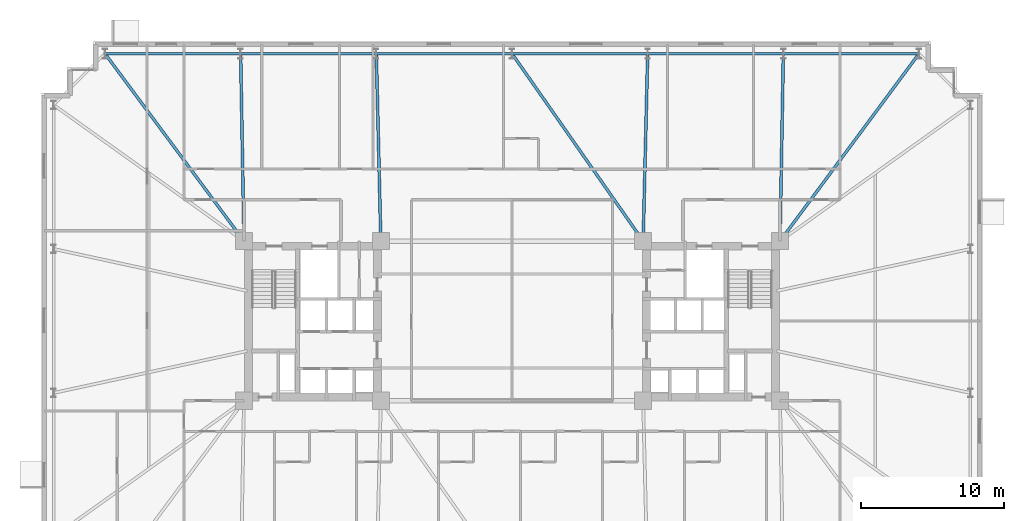
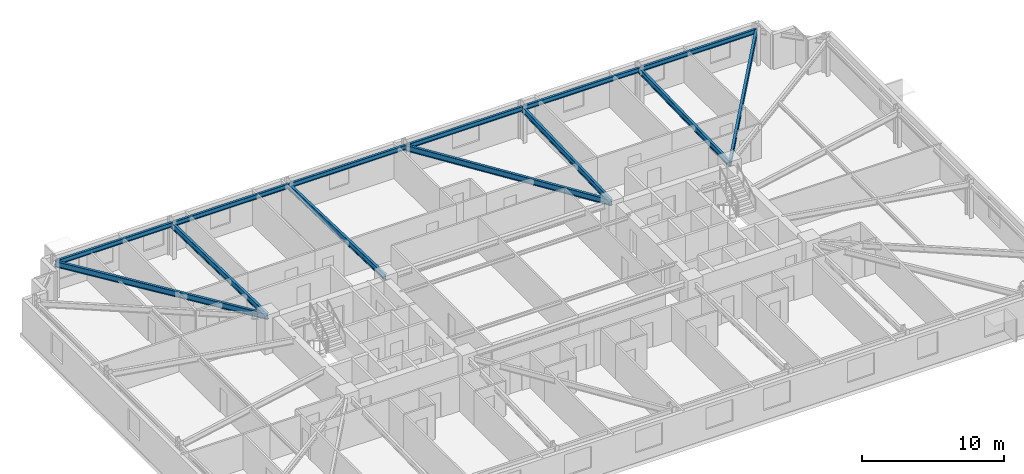
# One storey, part 9 of 20: 13 beams.
"""IFC4 building model written with IfcOpenShell, lengths in metres."""

from ifc_helpers import new_model, si_unit, direction, frame, origin, origin_2d, place, context, subcontext, project, spatial, i_section, extrude, material, material_profile, profile_set, type_object, element, save


model = new_model("IFC4")

# Units and contexts
model_context = context("Model", 3, precision=1e-05, world=origin(), true_north=direction((0.0, 1.0)))
body_context = subcontext(model_context, "Body", "Model", "MODEL_VIEW")
ifc_project = project(units=[si_unit("LENGTHUNIT", "METRE"), si_unit("AREAUNIT", "SQUARE_METRE"), si_unit("VOLUMEUNIT", "CUBIC_METRE"), si_unit("PLANEANGLEUNIT", "RADIAN"), si_unit("MASSUNIT", "GRAM", prefix="KILO")], contexts=[model_context])

# Site, building, storey
site_placement = place(None, origin())
site = spatial("IfcSite", under=ifc_project, at=site_placement, CompositionType="ELEMENT")
building_placement = place(site_placement, origin())
building = spatial("IfcBuilding", under=site, at=building_placement, Name="Qobustan Lattice House", CompositionType="ELEMENT")
storey_placement = place(building_placement, frame((0.0, 0.0, 70.550048828125)))
storey = spatial("IfcBuildingStorey", under=building, at=storey_placement, Name="L19", CompositionType="ELEMENT", Elevation=70.550048828125)

# Beams
ifc_material_1 = material(Name="Steel S355", Category="steel")
ifc_material_profile_1 = material_profile(ifc_material_1, i_section(OverallWidth=0.199951171875, OverallDepth=0.5, WebThickness=0.01025390625, FlangeThickness=0.01611328125, FilletRadius=0.02099609375, at=origin_2d()), Name="IPE500")
ifc_profile_set_1 = profile_set([ifc_material_profile_1], Name="Steel S355")
beam_type_1 = type_object("IfcBeamType", Name="BM-FLG-IPE500", PredefinedType="USERDEFINED", material=ifc_profile_set_1)
beam_1_placement = place(storey_placement, frame((-28.53515625, 18.72998046875, 2.75), z_axis=(0.5955916815, -0.803287338956, 0.0), x_axis=(0.803287338956, 0.5955916815, 0.0)))
element("IfcBeam", 1, at=beam_1_placement, inside=storey, type_object=beam_type_1, Name="L19 primary floor girder RAD-N7W", ObjectType="GIRDER", PredefinedType="USERDEFINED", context=body_context, shape_type="SweptSolid", body=[
    extrude(i_section(OverallWidth=0.199951171875, OverallDepth=0.5, WebThickness=0.01025390625, FlangeThickness=0.01611328125, FilletRadius=0.02099609375, at=origin_2d()), origin(), (0.0, 0.0, 1.0), 16.3203125),
])
beam_2_placement = place(storey_placement, frame((-19.032958984375, 18.72509765625, 2.75), z_axis=(0.017757831607, -0.999842317276, 0.0), x_axis=(0.999842317276, 0.017757831607, 0.0)))
element("IfcBeam", 2, at=beam_2_placement, inside=storey, type_object=beam_type_1, Name="L19 primary floor girder RAD-N6", ObjectType="GIRDER", PredefinedType="USERDEFINED", context=body_context, shape_type="SweptSolid", body=[
    extrude(i_section(OverallWidth=0.199951171875, OverallDepth=0.5, WebThickness=0.01025390625, FlangeThickness=0.01611328125, FilletRadius=0.02099609375, at=origin_2d()), origin(), (0.0, 0.0, 1.0), 13.10205078125),
])
beam_3_placement = place(storey_placement, frame((-9.51611328125, 18.72509765625, 2.75), z_axis=(0.024071445657, -0.999710240772, 0.0), x_axis=(0.999710240772, 0.024071445657, 0.0)))
element("IfcBeam", 3, at=beam_3_placement, inside=storey, type_object=beam_type_1, Name="L19 primary floor girder RAD-N5", ObjectType="GIRDER", PredefinedType="USERDEFINED", context=body_context, shape_type="SweptSolid", body=[
    extrude(i_section(OverallWidth=0.199951171875, OverallDepth=0.5, WebThickness=0.01025390625, FlangeThickness=0.01611328125, FilletRadius=0.02099609375, at=origin_2d()), origin(), (0.0, 0.0, 1.0), 13.10400390625),
])
beam_4_placement = place(storey_placement, frame((0.014404296875, 18.7294921875, 2.75), z_axis=(0.57325954206, -0.819373844736, 0.0), x_axis=(0.819373844736, 0.57325954206, 0.0)))
element("IfcBeam", 4, at=beam_4_placement, inside=storey, type_object=beam_type_1, Name="L19 primary floor girder RAD-N4", ObjectType="GIRDER", PredefinedType="USERDEFINED", context=body_context, shape_type="SweptSolid", body=[
    extrude(i_section(OverallWidth=0.199951171875, OverallDepth=0.5, WebThickness=0.01025390625, FlangeThickness=0.01611328125, FilletRadius=0.02099609375, at=origin_2d()), origin(), (0.0, 0.0, 1.0), 15.998779296875),
])
beam_5_placement = place(storey_placement, frame((9.51611328125, 18.72509765625, 2.75), z_axis=(-0.024071445657, -0.999710240772, 0.0), x_axis=(0.999710240772, -0.024071445657, 0.0)))
element("IfcBeam", 5, at=beam_5_placement, inside=storey, type_object=beam_type_1, Name="L19 primary floor girder RAD-N3", ObjectType="GIRDER", PredefinedType="USERDEFINED", context=body_context, shape_type="SweptSolid", body=[
    extrude(i_section(OverallWidth=0.199951171875, OverallDepth=0.5, WebThickness=0.01025390625, FlangeThickness=0.01611328125, FilletRadius=0.02099609375, at=origin_2d()), origin(), (0.0, 0.0, 1.0), 13.10400390625),
])
beam_6_placement = place(storey_placement, frame((19.032958984375, 18.72509765625, 2.75), z_axis=(-0.017757831607, -0.999842317276, 0.0), x_axis=(0.999842317276, -0.017757831607, 0.0)))
element("IfcBeam", 6, at=beam_6_placement, inside=storey, type_object=beam_type_1, Name="L19 primary floor girder RAD-N2", ObjectType="GIRDER", PredefinedType="USERDEFINED", context=body_context, shape_type="SweptSolid", body=[
    extrude(i_section(OverallWidth=0.199951171875, OverallDepth=0.5, WebThickness=0.01025390625, FlangeThickness=0.01611328125, FilletRadius=0.02099609375, at=origin_2d()), origin(), (0.0, 0.0, 1.0), 13.10205078125),
])
beam_7_placement = place(storey_placement, frame((28.53515625, 18.72998046875, 2.75), z_axis=(-0.5955916815, -0.803287338956, 0.0), x_axis=(0.803287338956, -0.5955916815, 0.0)))
element("IfcBeam", 7, at=beam_7_placement, inside=storey, type_object=beam_type_1, Name="L19 primary floor girder RAD-N1E", ObjectType="GIRDER", PredefinedType="USERDEFINED", context=body_context, shape_type="SweptSolid", body=[
    extrude(i_section(OverallWidth=0.199951171875, OverallDepth=0.5, WebThickness=0.01025390625, FlangeThickness=0.01611328125, FilletRadius=0.02099609375, at=origin_2d()), origin(), (0.0, 0.0, 1.0), 16.3203125),
])
ifc_material_2 = material(Name="Steel S355", Category="steel")
ifc_material_profile_2 = material_profile(ifc_material_2, i_section(OverallWidth=0.179931640625, OverallDepth=0.39990234375, WebThickness=0.008544921875, FlangeThickness=0.013427734375, FilletRadius=0.02099609375, at=origin_2d()), Name="IPE400")
ifc_profile_set_2 = profile_set([ifc_material_profile_2], Name="Steel S355")
beam_type_2 = type_object("IfcBeamType", Name="BM-SPD-IPE400", PredefinedType="SPANDREL", material=ifc_profile_set_2)
for number, where, z_axis, x_axis, name in (
    (8, (28.52490234375, 18.75, 2.800048828125), (-1.0, 0.0, 0.0), (0.0, -1.0, 0.0), "L19 perimeter spandrel N1-N2"),
    (9, (19.00830078125, 18.75, 2.800048828125), (-1.0, 0.0, 0.0), (0.0, -1.0, 0.0), "L19 perimeter spandrel N2-N3"),
):
    element("IfcBeam", number, at=place(storey_placement, frame(where, z_axis=z_axis, x_axis=x_axis)), inside=storey, type_object=beam_type_2, Name=name, PredefinedType="SPANDREL", context=body_context, shape_type="SweptSolid", body=[
        extrude(i_section(OverallWidth=0.179931640625, OverallDepth=0.39990234375, WebThickness=0.008544921875, FlangeThickness=0.013427734375, FilletRadius=0.02099609375, at=origin_2d()), origin(), (0.0, 0.0, 1.0), 9.466552734375),
    ])
for number, where, z_axis, x_axis, name in (
    (10, (9.49169921875, 18.75, 2.800048828125), (-1.0, 0.0, 0.0), (0.0, -1.0, 0.0), "L19 perimeter spandrel N3-N4"),
    (11, (-0.02490234375, 18.75, 2.800048828125), (-1.0, 0.0, 0.0), (0.0, -1.0, 0.0), "L19 perimeter spandrel N4-N5"),
):
    element("IfcBeam", number, at=place(storey_placement, frame(where, z_axis=z_axis, x_axis=x_axis)), inside=storey, type_object=beam_type_2, Name=name, PredefinedType="SPANDREL", context=body_context, shape_type="SweptSolid", body=[
        extrude(i_section(OverallWidth=0.179931640625, OverallDepth=0.39990234375, WebThickness=0.008544921875, FlangeThickness=0.013427734375, FilletRadius=0.02099609375, at=origin_2d()), origin(), (0.0, 0.0, 1.0), 9.466796875),
    ])
for number, where, z_axis, x_axis, name in (
    (12, (-9.541748046875, 18.75, 2.800048828125), (-1.0, 0.0, 0.0), (0.0, -1.0, 0.0), "L19 perimeter spandrel N5-N6"),
    (13, (-19.058349609375, 18.75, 2.800048828125), (-1.0, 0.0, 0.0), (0.0, -1.0, 0.0), "L19 perimeter spandrel N6-N7"),
):
    element("IfcBeam", number, at=place(storey_placement, frame(where, z_axis=z_axis, x_axis=x_axis)), inside=storey, type_object=beam_type_2, Name=name, PredefinedType="SPANDREL", context=body_context, shape_type="SweptSolid", body=[
        extrude(i_section(OverallWidth=0.179931640625, OverallDepth=0.39990234375, WebThickness=0.008544921875, FlangeThickness=0.013427734375, FilletRadius=0.02099609375, at=origin_2d()), origin(), (0.0, 0.0, 1.0), 9.466552734375),
    ])

save(model, "model.ifc")
